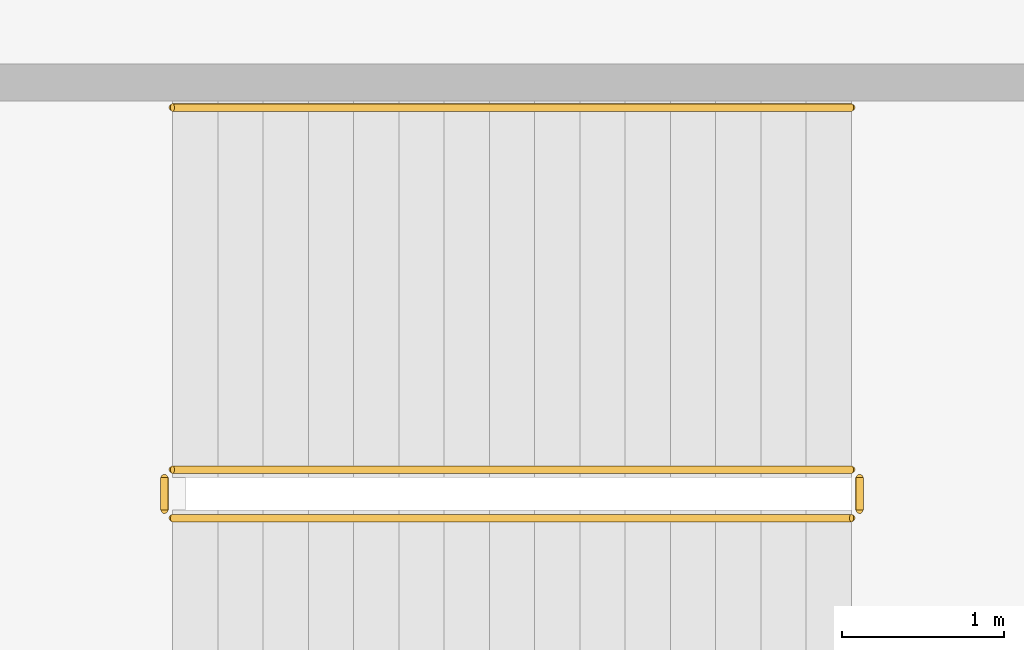
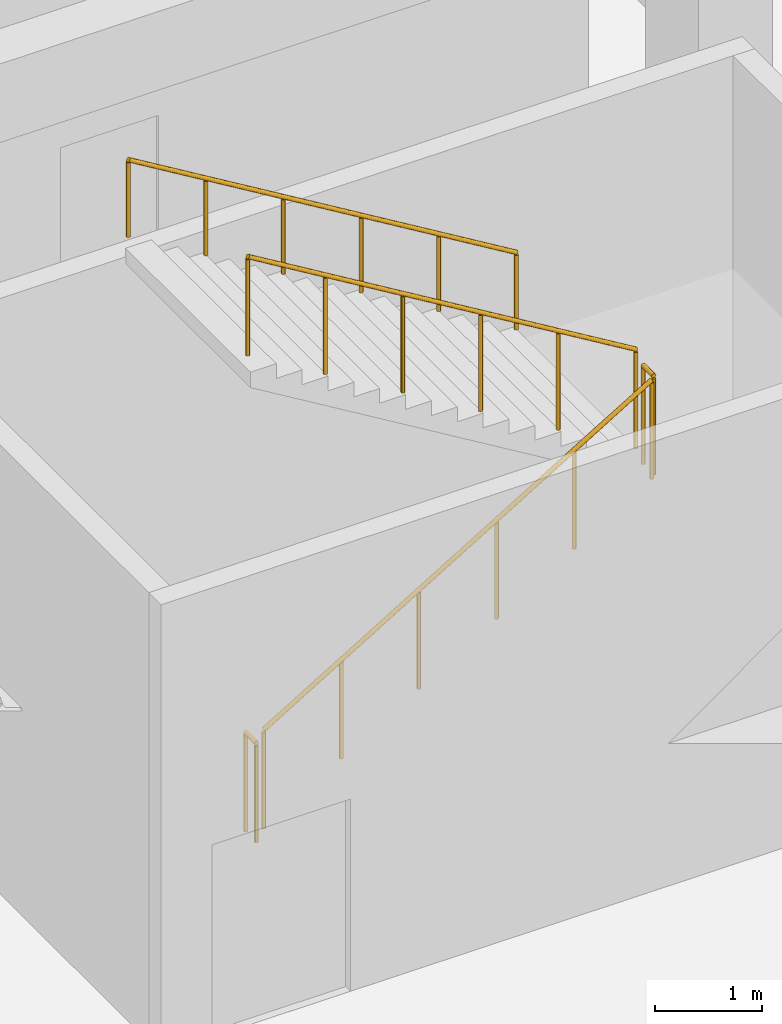
# One storey, part 61 of 69: 5 railings.
"""IFC4 building model written with IfcOpenShell, lengths in metres."""

from ifc_helpers import new_model, si_unit, direction, frame, origin, origin_2d, place, context, subcontext, project, spatial, circle, extrude, material, layer, layer_set, type_object, element, save


model = new_model("IFC4")

# Units and contexts
model_context = context("Model", 3, precision=1e-05, world=origin(), true_north=direction((0.0, 1.0)))
body_context = subcontext(model_context, "Body", "Model", "MODEL_VIEW")
ifc_project = project(units=[si_unit("LENGTHUNIT", "METRE"), si_unit("AREAUNIT", "SQUARE_METRE"), si_unit("VOLUMEUNIT", "CUBIC_METRE"), si_unit("PLANEANGLEUNIT", "RADIAN"), si_unit("MASSUNIT", "GRAM", prefix="KILO")], contexts=[model_context])

# Site, building, storey
site_placement = place(None, origin())
site = spatial("IfcSite", under=ifc_project, at=site_placement, CompositionType="ELEMENT")
building_placement = place(site_placement, origin())
building = spatial("IfcBuilding", under=site, at=building_placement, Name="Kazenohara Klinker Stadium", CompositionType="ELEMENT")
storey_placement = place(building_placement, origin())
storey = spatial("IfcBuildingStorey", under=building, at=storey_placement, Name="L00", CompositionType="ELEMENT", Elevation=0.0)

# Railings
ifc_material_1 = material(Name="Brushed stainless steel 304 handrail", Category="steel")
ifc_layer_1 = layer(ifc_material_1, 0.050048828125)
ifc_layer_set_1 = layer_set([ifc_layer_1], Name="Brushed stainless steel 304 handrail")
railing_type_1 = type_object("IfcRailingType", Name="RL-HND-900", PredefinedType="HANDRAIL", material=ifc_layer_set_1)
railing_1_placement = place(storey_placement, frame((57.330078125, 152.389892578125, 2.86865234375)))
element("IfcRailing", 1, at=railing_1_placement, inside=storey, type_object=railing_type_1, Name="L00 ST08 stair handrail 2", PredefinedType="HANDRAIL", context=body_context, shape_type="SweptSolid", body=[
    extrude(circle(Radius=0.02392578125, at=origin_2d()), frame((0.0, 0.0, 0.8759765625), z_axis=(-0.856489757249, 0.0, 0.516164020179), x_axis=(0.0, -1.0, 0.0)), (0.0, 0.0, 1.0), 4.904052734375),
    extrude(circle(Radius=0.02099609375, at=origin_2d()), origin(), (0.0, 0.0, 1.0), 0.851806640625),
    extrude(circle(Radius=0.02099609375, at=origin_2d()), frame((-0.840087890625, 0.0, 0.50634765625)), (0.0, 0.0, 1.0), 0.851806640625),
    extrude(circle(Radius=0.02099609375, at=origin_2d()), frame((-1.68017578125, 0.0, 1.012451171875)), (0.0, 0.0, 1.0), 0.851806640625),
    extrude(circle(Radius=0.02099609375, at=origin_2d()), frame((-2.52001953125, 0.0, 1.518798828125)), (0.0, 0.0, 1.0), 0.851806640625),
    extrude(circle(Radius=0.02099609375, at=origin_2d()), frame((-3.360107421875, 0.0, 2.02490234375)), (0.0, 0.0, 1.0), 0.851806640625),
    extrude(circle(Radius=0.02099609375, at=origin_2d()), frame((-4.2001953125, 0.0, 2.53125)), (0.0, 0.0, 1.0), 0.851806640625),
])
ifc_material_2 = material(Name="Painted steel stairwell guardrail", Category="steel")
ifc_layer_2 = layer(ifc_material_2, 0.06005859375)
ifc_layer_set_2 = layer_set([ifc_layer_2], Name="Painted steel stairwell guardrail")
railing_type_2 = type_object("IfcRailingType", Name="RL-STG-1120", PredefinedType="GUARDRAIL", material=ifc_layer_set_2)
railing_2_placement = place(storey_placement, frame((53.1298828125, 149.85009765625, 0.168701171875)))
element("IfcRailing", 2, at=railing_2_placement, inside=storey, type_object=railing_type_2, Name="L00 ST08 stair guard 1", PredefinedType="GUARDRAIL", context=body_context, shape_type="SweptSolid", body=[
    extrude(circle(Radius=0.02392578125, at=origin_2d()), frame((0.0, 0.0, 1.1259765625), z_axis=(0.856489757249, 0.0, 0.516164020179), x_axis=(0.0, 1.0, 0.0)), (0.0, 0.0, 1.0), 4.904052734375),
    extrude(circle(Radius=0.02099609375, at=origin_2d()), origin(), (0.0, 0.0, 1.0), 1.101806640625),
    extrude(circle(Radius=0.02099609375, at=origin_2d()), frame((0.840087890625, 0.0, 0.50634765625)), (0.0, 0.0, 1.0), 1.101806640625),
    extrude(circle(Radius=0.02099609375, at=origin_2d()), frame((1.68017578125, 0.0, 1.012451171875)), (0.0, 0.0, 1.0), 1.101806640625),
    extrude(circle(Radius=0.02099609375, at=origin_2d()), frame((2.52001953125, 0.0, 1.518798828125)), (0.0, 0.0, 1.0), 1.101806640625),
    extrude(circle(Radius=0.02099609375, at=origin_2d()), frame((3.360107421875, 0.0, 2.02490234375)), (0.0, 0.0, 1.0), 1.101806640625),
    extrude(circle(Radius=0.02099609375, at=origin_2d()), frame((4.2001953125, 0.0, 2.53125)), (0.0, 0.0, 1.0), 1.101806640625),
])
railing_3_placement = place(storey_placement, frame((57.3798828125, 149.89990234375, 2.699951171875)))
element("IfcRailing", 3, at=railing_3_placement, inside=storey, type_object=railing_type_2, Name="L00 ST08 stair guard 2", PredefinedType="GUARDRAIL", context=body_context, shape_type="SweptSolid", body=[
    extrude(circle(Radius=0.02392578125, at=origin_2d()), frame((0.0, 0.0, 1.1259765625), z_axis=(0.0, 1.0, 0.0), x_axis=(-1.0, 0.0, 0.0)), (0.0, 0.0, 1.0), 0.2001953125),
    extrude(circle(Radius=0.02099609375, at=origin_2d()), origin(), (0.0, 0.0, 1.0), 1.101806640625),
    extrude(circle(Radius=0.02099609375, at=origin_2d()), frame((0.0, 0.2001953125, 0.0)), (0.0, 0.0, 1.0), 1.101806640625),
])
railing_4_placement = place(storey_placement, frame((57.330078125, 150.14990234375, 2.86865234375)))
element("IfcRailing", 4, at=railing_4_placement, inside=storey, type_object=railing_type_2, Name="L00 ST08 stair guard 3", PredefinedType="GUARDRAIL", context=body_context, shape_type="SweptSolid", body=[
    extrude(circle(Radius=0.02392578125, at=origin_2d()), frame((0.0, 0.0, 1.1259765625), z_axis=(-0.856489757249, 0.0, 0.516164020179), x_axis=(0.0, -1.0, 0.0)), (0.0, 0.0, 1.0), 4.904052734375),
    extrude(circle(Radius=0.02099609375, at=origin_2d()), origin(), (0.0, 0.0, 1.0), 1.101806640625),
    extrude(circle(Radius=0.02099609375, at=origin_2d()), frame((-0.840087890625, 0.0, 0.50634765625)), (0.0, 0.0, 1.0), 1.101806640625),
    extrude(circle(Radius=0.02099609375, at=origin_2d()), frame((-1.68017578125, 0.0, 1.012451171875)), (0.0, 0.0, 1.0), 1.101806640625),
    extrude(circle(Radius=0.02099609375, at=origin_2d()), frame((-2.52001953125, 0.0, 1.518798828125)), (0.0, 0.0, 1.0), 1.101806640625),
    extrude(circle(Radius=0.02099609375, at=origin_2d()), frame((-3.360107421875, 0.0, 2.02490234375)), (0.0, 0.0, 1.0), 1.101806640625),
    extrude(circle(Radius=0.02099609375, at=origin_2d()), frame((-4.2001953125, 0.0, 2.53125)), (0.0, 0.0, 1.0), 1.101806640625),
])
railing_5_placement = place(storey_placement, frame((53.080078125, 149.89990234375, 0.0)))
element("IfcRailing", 5, at=railing_5_placement, inside=storey, type_object=railing_type_2, Name="L00 ST08 stair guard 4", PredefinedType="GUARDRAIL", context=body_context, shape_type="SweptSolid", body=[
    extrude(circle(Radius=0.02392578125, at=origin_2d()), frame((0.0, 0.0, 1.1259765625), z_axis=(0.0, 1.0, 0.0), x_axis=(-1.0, 0.0, 0.0)), (0.0, 0.0, 1.0), 0.2001953125),
    extrude(circle(Radius=0.02099609375, at=origin_2d()), origin(), (0.0, 0.0, 1.0), 1.101806640625),
    extrude(circle(Radius=0.02099609375, at=origin_2d()), frame((0.0, 0.2001953125, 0.0)), (0.0, 0.0, 1.0), 1.101806640625),
])

save(model, "model.ifc")
